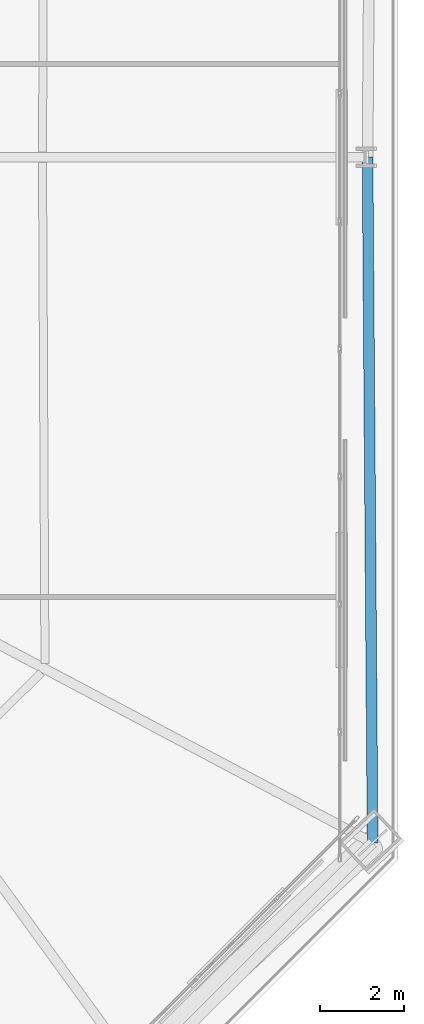
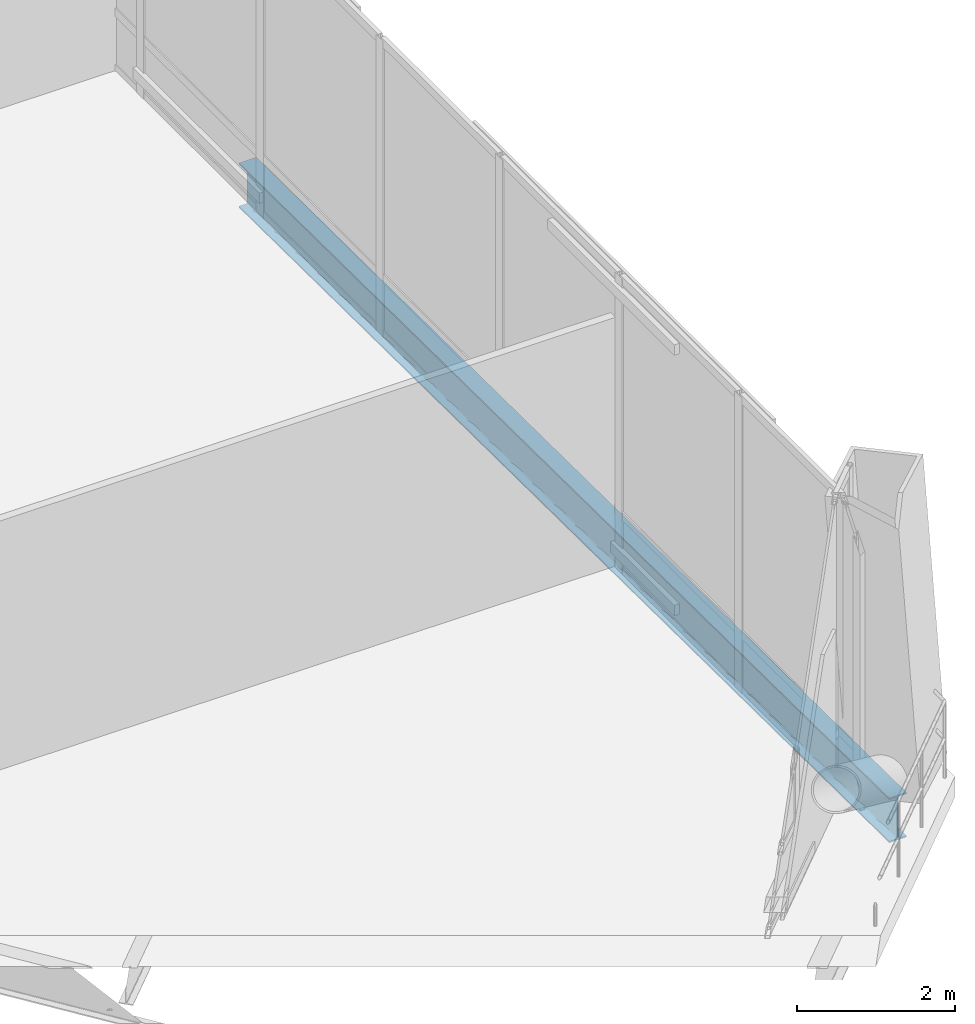
# One storey, part 23 of 48: 1 beam.
"""IFC4 building model written with IfcOpenShell, lengths in metres."""

from ifc_helpers import new_model, si_unit, direction, frame, origin, origin_2d, place, context, subcontext, project, spatial, i_section, extrude, material, material_profile, profile_set, type_object, element, save


model = new_model("IFC4")

# Units and contexts
model_context = context("Model", 3, precision=1e-05, world=origin(), true_north=direction((0.0, 1.0)))
body_context = subcontext(model_context, "Body", "Model", "MODEL_VIEW")
ifc_project = project(units=[si_unit("LENGTHUNIT", "METRE"), si_unit("AREAUNIT", "SQUARE_METRE"), si_unit("VOLUMEUNIT", "CUBIC_METRE"), si_unit("PLANEANGLEUNIT", "RADIAN"), si_unit("MASSUNIT", "GRAM", prefix="KILO")], contexts=[model_context])

# Site, building, storey
site_placement = place(None, origin())
site = spatial("IfcSite", under=ifc_project, at=site_placement, CompositionType="ELEMENT")
building_placement = place(site_placement, origin())
building = spatial("IfcBuilding", under=site, at=building_placement, Name="Caelvoria Tower", CompositionType="ELEMENT")
storey_placement = place(building_placement, frame((0.0, 0.0, 90.39990234375)))
storey = spatial("IfcBuildingStorey", under=building, at=storey_placement, Name="L23", CompositionType="ELEMENT", Elevation=90.39990234375)

# Beam
ifc_material = material(Name="Structural Steel ASTM A992 Gr.50", Category="steel")
ifc_material_profile = material_profile(ifc_material, i_section(OverallWidth=0.25390625, OverallDepth=0.68798828125, WebThickness=0.01318359375, FlangeThickness=0.02099609375, FilletRadius=0.01904296875, at=origin_2d()), Name="Structural Steel ASTM A992 Gr.50")
ifc_profile_set = profile_set([ifc_material_profile], Name="W690X152 - Structural Steel ASTM A992 Gr.50")
beam_type = type_object("IfcBeamType", Name="Perimeter Spandrel Girder W690X152", PredefinedType="BEAM", material=ifc_profile_set)
beam_placement = place(storey_placement, frame((70.516357421875, 15.76416015625, -0.663818359375), z_axis=(-0.00736799945, 0.999972855924, 0.0), x_axis=(-0.999972855924, -0.00736799945, 0.0)))
element("IfcBeam", 1, at=beam_placement, inside=storey, type_object=beam_type, Name="Perimeter Spandrel Girder L23-03", PredefinedType="BEAM", context=body_context, shape_type="SweptSolid", body=[
    extrude(i_section(OverallWidth=0.25390625, OverallDepth=0.68798828125, WebThickness=0.01318359375, FlangeThickness=0.02099609375, FilletRadius=0.01904296875, at=origin_2d()), origin(), (0.0, 0.0, 1.0), 16.236328125),
])

save(model, "model.ifc")
